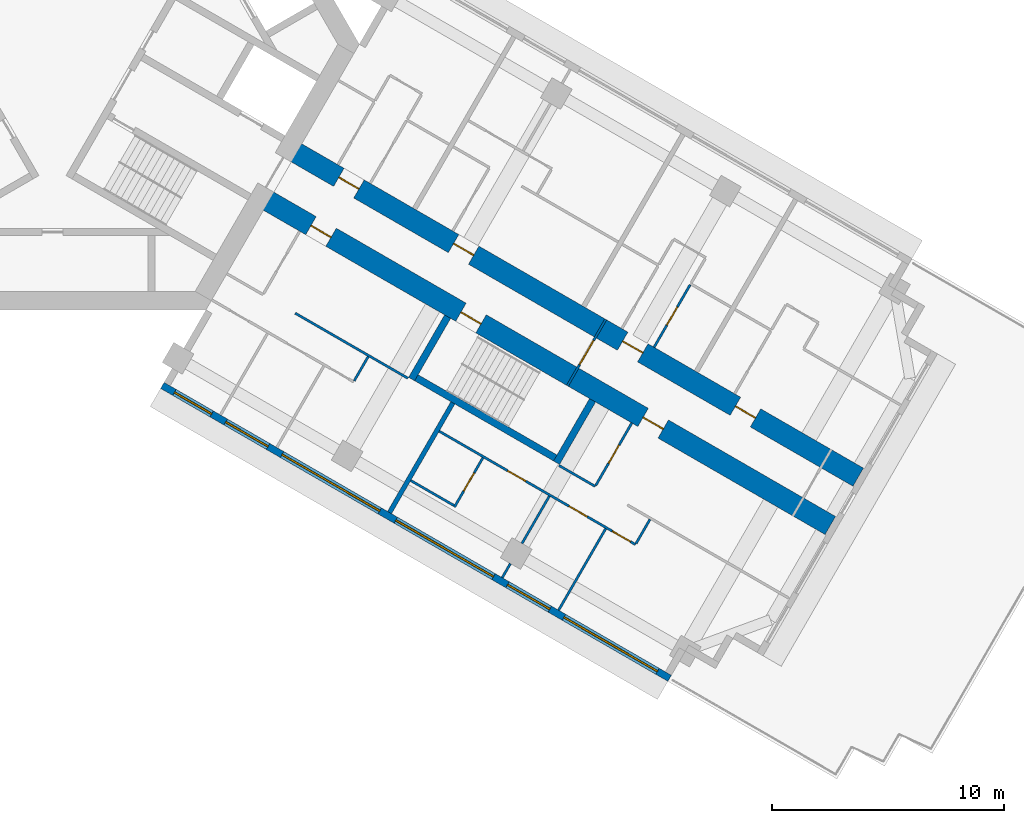
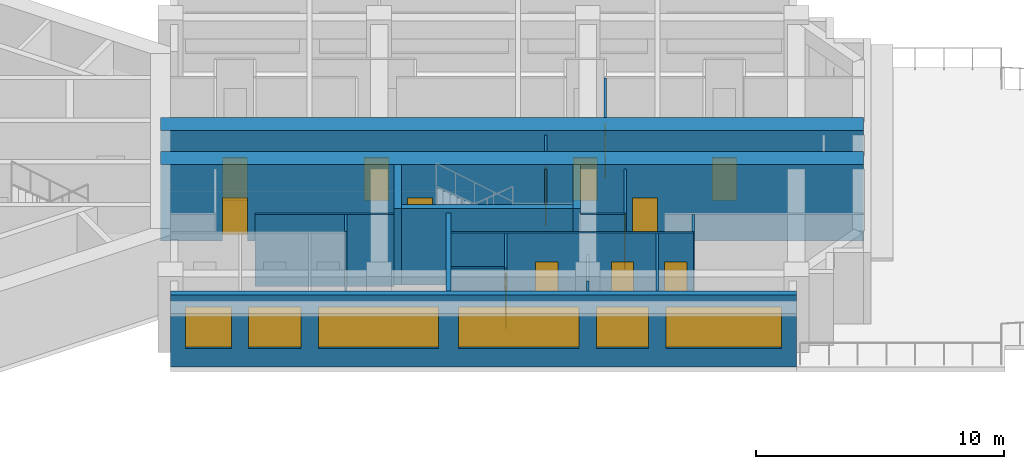
# One storey, part 6 of 14: 20 walls, 14 doors, 6 windows, 20 openings.
"""IFC4 building model written with IfcOpenShell, lengths in metres."""

import ifcopenshell
import ifcopenshell.guid

model = None  # the IFC model being written
_history = None  # IfcOwnerHistory: only IFC2X3 demands one
_inside = {}  # id of a spatial element -> (the spatial element, [elements in it])
_under = {}  # id of a project, library or spatial element -> (it, [spatial elements below it])
_declared = {}  # id of a project -> (the project, [libraries it declares])
_typed = {}  # id of a type object -> (the type object, [elements of that type])
_made_of = {}  # id of a material, layer set ... -> (it, [elements and type objects made of it])


def new_model(schema):
    """Start an empty IFC model of exactly this schema.

    Asked for "IFC4X3", IfcOpenShell would pick the latest addendum, in which some entities
    have other attributes; the version numbers below select the first issue.
    IFC2X3 requires an IfcOwnerHistory on every rooted entity: one is made here for all.
    """
    global model, _history
    if schema == "IFC4X3":
        model = ifcopenshell.file(schema_version=(4, 3, 0, 0))
    else:
        model = ifcopenshell.file(schema=schema)
    _inside.clear()
    _under.clear()
    _declared.clear()
    _typed.clear()
    _made_of.clear()
    _history = None
    if model.schema == "IFC2X3":
        org = make("IfcOrganization", Name="unknown")
        user = make(
            "IfcPersonAndOrganization",
            ThePerson=make("IfcPerson", FamilyName="unknown"),
            TheOrganization=org,
        )
        app = make(
            "IfcApplication",
            ApplicationDeveloper=org,
            Version="unknown",
            ApplicationFullName="unknown",
            ApplicationIdentifier="unknown",
        )
        _history = make(
            "IfcOwnerHistory",
            OwningUser=user,
            OwningApplication=app,
            ChangeAction="ADDED",
            CreationDate=0,
        )
    return model


def make(cls, **values):
    """One entity of the class cls with the attributes given. An attribute that is None is left unset."""
    return model.create_entity(
        cls, **{name: value for name, value in values.items() if value is not None}
    )


def rooted(cls, **values):
    """An entity with a GlobalId (a new one), such as an element, a storey or a relation."""
    return make(cls, GlobalId=ifcopenshell.guid.new(), OwnerHistory=_history, **values)


def si_unit(unit_type, name, prefix=None):
    """IfcSIUnit, for example si_unit("LENGTHUNIT", "METRE", prefix="MILLI")."""
    return make("IfcSIUnit", UnitType=unit_type, Prefix=prefix, Name=name)


def assignment(units):
    """IfcUnitAssignment: the units of a project."""
    return None if units is None else make("IfcUnitAssignment", Units=units)


def point(xyz):
    """IfcCartesianPoint."""
    return None if xyz is None else make("IfcCartesianPoint", Coordinates=xyz)


def direction(xyz):
    """IfcDirection."""
    return None if xyz is None else make("IfcDirection", DirectionRatios=xyz)


def frame(location, z_axis=None, x_axis=None):
    """IfcAxis2Placement3D, a coordinate frame: its origin and axes. An axis left out is left unset."""
    return make(
        "IfcAxis2Placement3D",
        Location=point(location),
        Axis=direction(z_axis),
        RefDirection=direction(x_axis),
    )


def frame_2d(location, x_axis=None):
    """IfcAxis2Placement2D, a coordinate frame in the plane: its origin and x axis."""
    return make(
        "IfcAxis2Placement2D", Location=point(location), RefDirection=direction(x_axis)
    )


def origin():
    """The frame at (0, 0, 0) with its axes left unset."""
    return frame((0.0, 0.0, 0.0))


def place(relative_to, where):
    """IfcLocalPlacement: puts the frame where relative to a parent placement (None: the world)."""
    return make(
        "IfcLocalPlacement", PlacementRelTo=relative_to, RelativePlacement=where
    )


def context(
    kind, dimensions, precision=None, world=None, true_north=None, identifier=None
):
    """IfcGeometricRepresentationContext, for example the 3D "Model" context."""
    return make(
        "IfcGeometricRepresentationContext",
        ContextIdentifier=identifier,
        ContextType=kind,
        CoordinateSpaceDimension=dimensions,
        Precision=precision,
        WorldCoordinateSystem=world,
        TrueNorth=true_north,
    )


def subcontext(parent, identifier, kind, view, scale=None):
    """IfcGeometricRepresentationSubContext, for example "Body" below "Model"."""
    return make(
        "IfcGeometricRepresentationSubContext",
        ContextIdentifier=identifier,
        ContextType=kind,
        ParentContext=parent,
        TargetScale=scale,
        TargetView=view,
    )


def project(units=None, contexts=None):
    """IfcProject with its units and contexts."""
    return rooted(
        "IfcProject",
        Name="project",
        RepresentationContexts=contexts,
        UnitsInContext=assignment(units),
    )


def spatial(cls, under=None, at=None, **own):
    """A site, building, storey or space (cls), placed at a placement, below another one or the project."""
    s = rooted(cls, ObjectPlacement=at, **own)
    if under is not None:
        _under.setdefault(under.id(), (under, []))[1].append(s)
    return s


def profile(cls, at=None, kind="AREA", **sizes):
    """A parametric profile (cls). Its sizes go by their IFC names, for example OverallWidth=200.0."""
    return make(cls, ProfileType=kind, Position=at, **sizes)


def rectangle(**sizes):
    """IfcRectangleProfileDef."""
    return profile("IfcRectangleProfileDef", **sizes)


def extrude(swept, where, along, depth):
    """IfcExtrudedAreaSolid: the profile swept, set in the frame where, extruded along a direction by depth."""
    return make(
        "IfcExtrudedAreaSolid",
        SweptArea=swept,
        Position=where,
        ExtrudedDirection=direction(along),
        Depth=depth,
    )


def shape(context_of_items, identifier, shape_type, items):
    """IfcShapeRepresentation: the items that make up one representation, for example the "Body"."""
    return make(
        "IfcShapeRepresentation",
        ContextOfItems=context_of_items,
        RepresentationIdentifier=identifier,
        RepresentationType=shape_type,
        Items=items,
    )


def material(Name=None, Category=None):
    """IfcMaterial."""
    return make("IfcMaterial", Name=Name, Category=Category)


def layer(
    of_material, thickness, ventilated=None, Name=None, Category=None, Priority=None
):
    """IfcMaterialLayer: one layer of a wall or slab, of a material (None: an air gap)."""
    return make(
        "IfcMaterialLayer",
        Material=of_material,
        LayerThickness=thickness,
        IsVentilated=ventilated,
        Name=Name,
        Category=Category,
        Priority=Priority,
    )


def layer_set(layers, Name=None):
    """IfcMaterialLayerSet."""
    return make("IfcMaterialLayerSet", MaterialLayers=layers, LayerSetName=Name)


def made_of(thing, what):
    """Note that an element or type object is made of a material, layer set ...; save() writes the relation."""
    if what is not None:
        _made_of.setdefault(what.id(), (what, []))[1].append(thing)
    return thing


def type_object(cls, material=None, **own):
    """A type object (cls), such as IfcWallType, which elements share."""
    return made_of(rooted(cls, **own), material)


def element(
    cls,
    number,
    at=None,
    inside=None,
    cuts=None,
    type_object=None,
    material=None,
    context=None,
    identifier="Body",
    shape_type=None,
    held_by="IfcProductDefinitionShape",
    body=None,
    shapes=None,
    **own,
):
    """One element of the class cls, such as IfcWall. Its Tag is "e" and its number.

    at: its placement. inside: the storey or other place that contains it. cuts: it is an
    opening in that element (IfcRelVoidsElement). A single representation is given by context,
    identifier, shape_type and body (its items); several are given by shapes. held_by: the class
    of the entity that holds the representations. save() writes the other relations.
    """
    e = rooted(cls, Tag="e%d" % number, ObjectPlacement=at, **own)
    if body is not None:
        shapes = [shape(context, identifier, shape_type, body)]
    if shapes is not None:
        e.Representation = make(held_by, Representations=shapes)
    if inside is not None:
        _inside.setdefault(inside.id(), (inside, []))[1].append(e)
    if cuts is not None:
        rooted(
            "IfcRelVoidsElement", RelatingBuildingElement=cuts, RelatedOpeningElement=e
        )
    if type_object is not None:
        _typed.setdefault(type_object.id(), (type_object, []))[1].append(e)
    return made_of(e, material)


def fill(opening, filler):
    """IfcRelFillsElement: the door or window that sits in an opening."""
    return rooted(
        "IfcRelFillsElement",
        RelatingOpeningElement=opening,
        RelatedBuildingElement=filler,
    )


def aggregate(whole, parts):
    """IfcRelAggregates: a whole, such as a stair, and the parts it consists of."""
    return rooted("IfcRelAggregates", RelatingObject=whole, RelatedObjects=parts)


def save(model, path):
    """Write the relations noted so far, then the file.

    IfcRelAggregates (storeys below a building ...), IfcRelContainedInSpatialStructure (elements
    in a storey), IfcRelDefinesByType, IfcRelAssociatesMaterial and IfcRelDeclares: one each for
    every whole, place, type object, material and project.
    """
    for whole, parts in _under.values():
        aggregate(whole, parts)
    for where, things in _inside.values():
        rooted(
            "IfcRelContainedInSpatialStructure",
            RelatedElements=things,
            RelatingStructure=where,
        )
    for kind, things in _typed.values():
        rooted("IfcRelDefinesByType", RelatedObjects=things, RelatingType=kind)
    for what, things in _made_of.values():
        rooted("IfcRelAssociatesMaterial", RelatedObjects=things, RelatingMaterial=what)
    for by, libraries in _declared.values():
        rooted("IfcRelDeclares", RelatingContext=by, RelatedDefinitions=libraries)
    model.write(path)


model = new_model("IFC4")

# Units and contexts
model_context = context("Model", 3, precision=1e-05, world=origin(), true_north=direction((0.0, 1.0)))
body_context = subcontext(model_context, "Body", "Model", "MODEL_VIEW")
ifc_project = project(units=[si_unit("LENGTHUNIT", "METRE"), si_unit("AREAUNIT", "SQUARE_METRE"), si_unit("VOLUMEUNIT", "CUBIC_METRE"), si_unit("PLANEANGLEUNIT", "RADIAN"), si_unit("MASSUNIT", "GRAM", prefix="KILO")], contexts=[model_context])

# Site, building, storey
site_placement = place(None, origin())
site = spatial("IfcSite", under=ifc_project, at=site_placement, CompositionType="ELEMENT")
building_placement = place(site_placement, origin())
building = spatial("IfcBuilding", under=site, at=building_placement, Name="Impinga Residences", CompositionType="ELEMENT")
storey_placement = place(building_placement, frame((0.0, 0.0, 158.5)))
storey = spatial("IfcBuildingStorey", under=building, at=storey_placement, Name="L39", CompositionType="ELEMENT", Elevation=158.5)

# Wall, openings, doors
ifc_material_1 = material(Name="Concrete C60/75", Category="concrete")
ifc_layer_1 = layer(ifc_material_1, 0.89990234375)
ifc_layer_set_1 = layer_set([ifc_layer_1], Name="Concrete C60/75")
wall_type_1 = type_object("IfcWallType", Name="BW2 corridor buttress wall, L24 to L44 900", PredefinedType="SHEAR", material=ifc_layer_set_1)
wall_1_placement = place(storey_placement, frame((10.153564453125, -4.4765625, 0.0), z_axis=(0.0, 0.0, 1.0), x_axis=(0.866027127636, -0.49999701419, 0.0)))
wall_1 = element("IfcWall", 1, at=wall_1_placement, inside=storey, type_object=wall_type_1, Name="Corridor wall BW2 EC L39", PredefinedType="SHEAR", context=body_context, shape_type="SweptSolid", body=[
    extrude(rectangle(XDim=28.300048828125, YDim=0.89990234375, at=frame_2d((14.14990234375, 0.0))), origin(), (0.0, 0.0, 1.0), 3.75),
])
opening_1_placement = place(wall_1_placement, frame((2.5, 0.0, 0.0)))
opening_1 = element("IfcOpeningElement", 2, at=opening_1_placement, cuts=wall_1, Name="Opening D1", PredefinedType="OPENING", context=body_context, shape_type="SweptSolid", body=[
    extrude(rectangle(XDim=1.0, YDim=2.10009765625, at=frame_2d((0.5, 1.050048828125))), frame((0.0, 0.4599609375, 0.0), z_axis=(0.0, -1.0, 0.0), x_axis=(1.0, 0.0, 0.0)), (0.0, 0.0, 1.0), 0.919921875),
])
opening_2_placement = place(wall_1_placement, frame((8.199951171875, 0.0, 0.0)))
opening_2 = element("IfcOpeningElement", 3, at=opening_2_placement, cuts=wall_1, Name="Opening D1", PredefinedType="OPENING", context=body_context, shape_type="SweptSolid", body=[
    extrude(rectangle(XDim=1.0, YDim=2.10009765625, at=frame_2d((0.5, 1.050048828125))), frame((0.0, 0.4599609375, 0.0), z_axis=(0.0, -1.0, 0.0), x_axis=(1.0, 0.0, 0.0)), (0.0, 0.0, 1.0), 0.919921875),
])
opening_3_placement = place(wall_1_placement, frame((16.60009765625, 0.0, 0.0)))
opening_3 = element("IfcOpeningElement", 4, at=opening_3_placement, cuts=wall_1, Name="Opening D1", PredefinedType="OPENING", context=body_context, shape_type="SweptSolid", body=[
    extrude(rectangle(XDim=1.0, YDim=2.10009765625, at=frame_2d((0.5, 1.050048828125))), frame((0.0, 0.4599609375, 0.0), z_axis=(0.0, -1.0, 0.0), x_axis=(1.0, 0.0, 0.0)), (0.0, 0.0, 1.0), 0.919921875),
])
opening_4_placement = place(wall_1_placement, frame((22.199951171875, 0.0, 0.0)))
opening_4 = element("IfcOpeningElement", 5, at=opening_4_placement, cuts=wall_1, Name="Opening D1", PredefinedType="OPENING", context=body_context, shape_type="SweptSolid", body=[
    extrude(rectangle(XDim=1.0, YDim=2.10009765625, at=frame_2d((0.5, 1.050048828125))), frame((0.0, 0.4599609375, 0.0), z_axis=(0.0, -1.0, 0.0), x_axis=(1.0, 0.0, 0.0)), (0.0, 0.0, 1.0), 0.919921875),
])
ifc_material_2 = material(Name="Timber door set", Category="wood")
door_type_1 = type_object("IfcDoorType", Name="D1 apartment entrance door 1000x2100", OperationType="SINGLE_SWING_LEFT", PredefinedType="DOOR", material=ifc_material_2)
door_1_placement = place(opening_1_placement, origin())
door_1 = element("IfcDoor", 6, at=door_1_placement, inside=storey, type_object=door_type_1, Name="Apartment L39-EA1 entrance", OperationType="SINGLE_SWING_LEFT", OverallHeight=2.10009765625, OverallWidth=1.0, PredefinedType="DOOR", context=body_context, shape_type="SweptSolid", body=[
    extrude(rectangle(XDim=1.0, YDim=2.10009765625, at=frame_2d((0.5, 1.050048828125))), frame((0.0, 0.02490234375, 0.0), z_axis=(0.0, -1.0, 0.0), x_axis=(1.0, 0.0, 0.0)), (0.0, 0.0, 1.0), 0.050048828125),
])
fill(opening_1, door_1)
door_2_placement = place(opening_2_placement, origin())
door_2 = element("IfcDoor", 7, at=door_2_placement, inside=storey, type_object=door_type_1, Name="Apartment L39-EA2 entrance", OperationType="SINGLE_SWING_LEFT", OverallHeight=2.10009765625, OverallWidth=1.0, PredefinedType="DOOR", context=body_context, shape_type="SweptSolid", body=[
    extrude(rectangle(XDim=1.0, YDim=2.10009765625, at=frame_2d((0.5, 1.050048828125))), frame((0.0, 0.02490234375, 0.0), z_axis=(0.0, -1.0, 0.0), x_axis=(1.0, 0.0, 0.0)), (0.0, 0.0, 1.0), 0.050048828125),
])
fill(opening_2, door_2)
door_3_placement = place(opening_3_placement, origin())
door_3 = element("IfcDoor", 8, at=door_3_placement, inside=storey, type_object=door_type_1, Name="Apartment L39-EA3 entrance", OperationType="SINGLE_SWING_RIGHT", OverallHeight=2.10009765625, OverallWidth=1.0, PredefinedType="DOOR", context=body_context, shape_type="SweptSolid", body=[
    extrude(rectangle(XDim=1.0, YDim=2.10009765625, at=frame_2d((0.5, 1.050048828125))), frame((0.0, 0.02490234375, 0.0), z_axis=(0.0, -1.0, 0.0), x_axis=(1.0, 0.0, 0.0)), (0.0, 0.0, 1.0), 0.050048828125),
])
fill(opening_3, door_3)
door_4_placement = place(opening_4_placement, origin())
door_4 = element("IfcDoor", 9, at=door_4_placement, inside=storey, type_object=door_type_1, Name="Apartment L39-EA4 entrance", OperationType="SINGLE_SWING_RIGHT", OverallHeight=2.10009765625, OverallWidth=1.0, PredefinedType="DOOR", context=body_context, shape_type="SweptSolid", body=[
    extrude(rectangle(XDim=1.0, YDim=2.10009765625, at=frame_2d((0.5, 1.050048828125))), frame((0.0, 0.02490234375, 0.0), z_axis=(0.0, -1.0, 0.0), x_axis=(1.0, 0.0, 0.0)), (0.0, 0.0, 1.0), 0.050048828125),
])
fill(opening_4, door_4)

wall_2_placement = place(storey_placement, frame((8.95361328125, -6.554931640625, 0.0), z_axis=(0.0, 0.0, 1.0), x_axis=(0.866023392092, -0.500003484338, 0.0)))
wall_2 = element("IfcWall", 10, at=wall_2_placement, inside=storey, type_object=wall_type_1, Name="Corridor wall BW2 ED L39", PredefinedType="SHEAR", context=body_context, shape_type="SweptSolid", body=[
    extrude(rectangle(XDim=28.300048828125, YDim=0.89990234375, at=frame_2d((14.14990234375, 0.0))), origin(), (0.0, 0.0, 1.0), 3.75),
])
opening_5_placement = place(wall_2_placement, frame((9.949951171875, 0.0, 0.0)))
opening_5 = element("IfcOpeningElement", 11, at=opening_5_placement, cuts=wall_2, Name="Opening D5", PredefinedType="OPENING", context=body_context, shape_type="SweptSolid", body=[
    extrude(rectangle(XDim=1.0, YDim=2.10009765625, at=frame_2d((0.5, 1.050048828125))), frame((0.0, 0.4599609375, 0.0), z_axis=(0.0, -1.0, 0.0), x_axis=(1.0, 0.0, 0.0)), (0.0, 0.0, 1.0), 0.919921875),
])
opening_6_placement = place(wall_2_placement, frame((2.5, 0.0, 0.0)))
opening_6 = element("IfcOpeningElement", 12, at=opening_6_placement, cuts=wall_2, Name="Opening D1", PredefinedType="OPENING", context=body_context, shape_type="SweptSolid", body=[
    extrude(rectangle(XDim=1.0, YDim=2.10009765625, at=frame_2d((0.5, 1.050048828125))), frame((0.0, 0.4599609375, 0.0), z_axis=(0.0, -1.0, 0.0), x_axis=(1.0, 0.0, 0.0)), (0.0, 0.0, 1.0), 0.919921875),
])
opening_7_placement = place(wall_2_placement, frame((19.0, 0.0, 0.0)))
opening_7 = element("IfcOpeningElement", 13, at=opening_7_placement, cuts=wall_2, Name="Opening D1", PredefinedType="OPENING", context=body_context, shape_type="SweptSolid", body=[
    extrude(rectangle(XDim=1.0, YDim=2.10009765625, at=frame_2d((0.5, 1.050048828125))), frame((0.0, 0.4599609375, 0.0), z_axis=(0.0, -1.0, 0.0), x_axis=(1.0, 0.0, 0.0)), (0.0, 0.0, 1.0), 0.919921875),
])
door_5_placement = place(opening_6_placement, origin())
door_5 = element("IfcDoor", 14, at=door_5_placement, inside=storey, type_object=door_type_1, Name="Apartment L39-EF1 entrance", OperationType="SINGLE_SWING_LEFT", OverallHeight=2.10009765625, OverallWidth=1.0, PredefinedType="DOOR", context=body_context, shape_type="SweptSolid", body=[
    extrude(rectangle(XDim=1.0, YDim=2.10009765625, at=frame_2d((0.5, 1.050048828125))), frame((0.0, 0.02490234375, 0.0), z_axis=(0.0, -1.0, 0.0), x_axis=(1.0, 0.0, 0.0)), (0.0, 0.0, 1.0), 0.050048828125),
])
fill(opening_6, door_5)
door_6_placement = place(opening_7_placement, origin())
door_6 = element("IfcDoor", 15, at=door_6_placement, inside=storey, type_object=door_type_1, Name="Apartment L39-EF2 entrance", OperationType="SINGLE_SWING_RIGHT", OverallHeight=2.10009765625, OverallWidth=1.0, PredefinedType="DOOR", context=body_context, shape_type="SweptSolid", body=[
    extrude(rectangle(XDim=1.0, YDim=2.10009765625, at=frame_2d((0.5, 1.050048828125))), frame((0.0, 0.02490234375, 0.0), z_axis=(0.0, -1.0, 0.0), x_axis=(1.0, 0.0, 0.0)), (0.0, 0.0, 1.0), 0.050048828125),
])
fill(opening_7, door_6)
door_type_2 = type_object("IfcDoorType", Name="D5 stair door 1000x2100", OperationType="SINGLE_SWING_LEFT", PredefinedType="DOOR", material=ifc_material_2)
door_7_placement = place(opening_5_placement, origin())
door_7 = element("IfcDoor", 16, at=door_7_placement, inside=storey, type_object=door_type_2, Name="Wing stair door E", OperationType="SINGLE_SWING_LEFT", OverallHeight=2.10009765625, OverallWidth=1.0, PredefinedType="DOOR", context=body_context, shape_type="SweptSolid", body=[
    extrude(rectangle(XDim=1.0, YDim=2.10009765625, at=frame_2d((0.5, 1.050048828125))), frame((0.0, 0.02490234375, 0.0), z_axis=(0.0, -1.0, 0.0), x_axis=(1.0, 0.0, 0.0)), (0.0, 0.0, 1.0), 0.050048828125),
])
fill(opening_5, door_7)

# Wall, opening, door
ifc_material_3 = material(Name="Concrete blockwork", Category="masonry")
ifc_layer_2 = layer(ifc_material_3, 0.10009765625)
ifc_layer_set_2 = layer_set([ifc_layer_2], Name="CP1 core room partition, blockwork 100")
wall_type_2 = type_object("IfcWallType", Name="CP1 core room partition, blockwork 100", PredefinedType="PARTITIONING", material=ifc_layer_set_2)
wall_3_placement = place(storey_placement, frame((23.802490234375, -11.837158203125, 0.0), z_axis=(0.0, 0.0, 1.0), x_axis=(-0.500061873842, -0.865989677958, 0.0)))
wall_3 = element("IfcWall", 17, at=wall_3_placement, inside=storey, type_object=wall_type_2, Name="Core room partition, blockwork L39:E:SCR", PredefinedType="PARTITIONING", context=body_context, shape_type="SweptSolid", body=[
    extrude(rectangle(XDim=3.2998046875, YDim=0.10009765625, at=frame_2d((1.64990234375, 0.0))), origin(), (0.0, 0.0, 1.0), 3.530029296875),
])
opening_8_placement = place(wall_3_placement, frame((1.050048828125, 0.0, 0.0)))
opening_8 = element("IfcOpeningElement", 18, at=opening_8_placement, cuts=wall_3, Name="Opening D3", PredefinedType="OPENING", context=body_context, shape_type="SweptSolid", body=[
    extrude(rectangle(XDim=1.199951171875, YDim=2.10009765625, at=frame_2d((0.60009765625, 1.050048828125))), frame((0.0, 0.06005859375, 0.0), z_axis=(0.0, -1.0, 0.0), x_axis=(1.0, 0.0, 0.0)), (0.0, 0.0, 1.0), 0.1201171875),
])
door_type_3 = type_object("IfcDoorType", Name="D3 room door, leaf and a half 1200x2100", OperationType="DOUBLE_SWING_LEFT", PredefinedType="DOOR", material=ifc_material_2)
door_8_placement = place(opening_8_placement, origin())
door_8 = element("IfcDoor", 19, at=door_8_placement, inside=storey, type_object=door_type_3, Name="Corridor smoke door E", OperationType="DOUBLE_SWING_LEFT", OverallHeight=2.10009765625, OverallWidth=1.199951171875, PredefinedType="DOOR", context=body_context, shape_type="SweptSolid", body=[
    extrude(rectangle(XDim=1.199951171875, YDim=2.10009765625, at=frame_2d((0.60009765625, 1.050048828125))), frame((0.0, 0.02490234375, 0.0), z_axis=(0.0, -1.0, 0.0), x_axis=(1.0, 0.0, 0.0)), (0.0, 0.0, 1.0), 0.050048828125),
])
fill(opening_8, door_8)

# Wall, openings, windows
ifc_material_4 = material(Name="Terracotta rainscreen on blockwork", Category="masonry")
ifc_layer_3 = layer(ifc_material_4, 0.300048828125)
ifc_layer_set_3 = layer_set([ifc_layer_3], Name="EW1 external wall, terracotta rainscreen on blockwork 300")
wall_type_3 = type_object("IfcWallType", Name="EW1 external wall, terracotta rainscreen on blockwork 300", PredefinedType="SOLIDWALL", material=ifc_layer_set_3)
wall_4_placement = place(storey_placement, frame((26.548828125, -27.279052734375, 0.0), z_axis=(0.0, 0.0, 1.0), x_axis=(-0.866026832479, 0.499997525421, 0.0)))
wall_4 = element("IfcWall", 20, at=wall_4_placement, inside=storey, type_object=wall_type_3, Name="External wall EW1 L39", PredefinedType="SOLIDWALL", context=body_context, shape_type="SweptSolid", body=[
    extrude(rectangle(XDim=25.199951171875, YDim=0.300048828125, at=frame_2d((12.60009765625, 0.0))), origin(), (0.0, 0.0, 1.0), 3.530029296875),
])
opening_9_placement = place(wall_4_placement, frame((0.60009765625, 0.0, 0.89990234375)))
opening_9 = element("IfcOpeningElement", 21, at=opening_9_placement, cuts=wall_4, Name="Opening W10", PredefinedType="OPENING", context=body_context, shape_type="SweptSolid", body=[
    extrude(rectangle(XDim=4.64990234375, YDim=2.050048828125, at=frame_2d((2.324951171875, 1.02490234375))), frame((0.0, 0.159912109375, 0.0), z_axis=(0.0, -1.0, 0.0), x_axis=(1.0, 0.0, 0.0)), (0.0, 0.0, 1.0), 0.320068359375),
])
opening_10_placement = place(wall_4_placement, frame((5.949951171875, 0.0, 0.89990234375)))
opening_10 = element("IfcOpeningElement", 22, at=opening_10_placement, cuts=wall_4, Name="Opening W9", PredefinedType="OPENING", context=body_context, shape_type="SweptSolid", body=[
    extrude(rectangle(XDim=2.10009765625, YDim=2.050048828125, at=frame_2d((1.050048828125, 1.02490234375))), frame((0.0, 0.159912109375, 0.0), z_axis=(0.0, -1.0, 0.0), x_axis=(1.0, 0.0, 0.0)), (0.0, 0.0, 1.0), 0.320068359375),
])
opening_11_placement = place(wall_4_placement, frame((8.75, 0.0, 0.89990234375)))
opening_11 = element("IfcOpeningElement", 23, at=opening_11_placement, cuts=wall_4, Name="Opening W6", PredefinedType="OPENING", context=body_context, shape_type="SweptSolid", body=[
    extrude(rectangle(XDim=4.85009765625, YDim=2.050048828125, at=frame_2d((2.425048828125, 1.02490234375))), frame((0.0, 0.159912109375, 0.0), z_axis=(0.0, -1.0, 0.0), x_axis=(1.0, 0.0, 0.0)), (0.0, 0.0, 1.0), 0.320068359375),
])
opening_12_placement = place(wall_4_placement, frame((14.39990234375, 0.0, 0.89990234375)))
opening_12 = element("IfcOpeningElement", 24, at=opening_12_placement, cuts=wall_4, Name="Opening W6", PredefinedType="OPENING", context=body_context, shape_type="SweptSolid", body=[
    extrude(rectangle(XDim=4.85009765625, YDim=2.050048828125, at=frame_2d((2.425048828125, 1.02490234375))), frame((0.0, 0.159912109375, 0.0), z_axis=(0.0, -1.0, 0.0), x_axis=(1.0, 0.0, 0.0)), (0.0, 0.0, 1.0), 0.320068359375),
])
opening_13_placement = place(wall_4_placement, frame((19.949951171875, 0.0, 0.89990234375)))
opening_13 = element("IfcOpeningElement", 25, at=opening_13_placement, cuts=wall_4, Name="Opening W9", PredefinedType="OPENING", context=body_context, shape_type="SweptSolid", body=[
    extrude(rectangle(XDim=2.10009765625, YDim=2.050048828125, at=frame_2d((1.050048828125, 1.02490234375))), frame((0.0, 0.159912109375, 0.0), z_axis=(0.0, -1.0, 0.0), x_axis=(1.0, 0.0, 0.0)), (0.0, 0.0, 1.0), 0.320068359375),
])
opening_14_placement = place(wall_4_placement, frame((22.75, 0.0, 0.89990234375)))
opening_14 = element("IfcOpeningElement", 26, at=opening_14_placement, cuts=wall_4, Name="Opening W15", PredefinedType="OPENING", context=body_context, shape_type="SweptSolid", body=[
    extrude(rectangle(XDim=1.85009765625, YDim=2.050048828125, at=frame_2d((0.925048828125, 1.02490234375))), frame((0.0, 0.159912109375, 0.0), z_axis=(0.0, -1.0, 0.0), x_axis=(1.0, 0.0, 0.0)), (0.0, 0.0, 1.0), 0.320068359375),
])
ifc_material_5 = material(Name="Aluminium window, clear double glazing", Category="aluminium")
window_type_1 = type_object("IfcWindowType", Name="W10 ribbon window 4650x2050", PartitioningType="SINGLE_PANEL", PredefinedType="WINDOW", material=ifc_material_5)
window_1_placement = place(opening_9_placement, origin())
window_1 = element("IfcWindow", 27, at=window_1_placement, inside=storey, type_object=window_type_1, Name="Window L39", OverallHeight=2.050048828125, OverallWidth=4.64990234375, PartitioningType="SINGLE_PANEL", PredefinedType="WINDOW", context=body_context, shape_type="SweptSolid", body=[
    extrude(rectangle(XDim=4.64990234375, YDim=2.050048828125, at=frame_2d((2.324951171875, 1.02490234375))), frame((0.0, 0.030029296875, 0.0), z_axis=(0.0, -1.0, 0.0), x_axis=(1.0, 0.0, 0.0)), (0.0, 0.0, 1.0), 0.06005859375),
])
fill(opening_9, window_1)
window_type_2 = type_object("IfcWindowType", Name="W15 ribbon window 1850x2050", PartitioningType="SINGLE_PANEL", PredefinedType="WINDOW", material=ifc_material_5)
window_2_placement = place(opening_14_placement, origin())
window_2 = element("IfcWindow", 28, at=window_2_placement, inside=storey, type_object=window_type_2, Name="Window L39", OverallHeight=2.050048828125, OverallWidth=1.85009765625, PartitioningType="SINGLE_PANEL", PredefinedType="WINDOW", context=body_context, shape_type="SweptSolid", body=[
    extrude(rectangle(XDim=1.85009765625, YDim=2.050048828125, at=frame_2d((0.925048828125, 1.02490234375))), frame((0.0, 0.030029296875, 0.0), z_axis=(0.0, -1.0, 0.0), x_axis=(1.0, 0.0, 0.0)), (0.0, 0.0, 1.0), 0.06005859375),
])
fill(opening_14, window_2)
window_type_3 = type_object("IfcWindowType", Name="W6 ribbon window 4850x2050", PartitioningType="SINGLE_PANEL", PredefinedType="WINDOW", material=ifc_material_5)
window_3_placement = place(opening_11_placement, origin())
window_3 = element("IfcWindow", 29, at=window_3_placement, inside=storey, type_object=window_type_3, Name="Window L39", OverallHeight=2.050048828125, OverallWidth=4.85009765625, PartitioningType="SINGLE_PANEL", PredefinedType="WINDOW", context=body_context, shape_type="SweptSolid", body=[
    extrude(rectangle(XDim=4.85009765625, YDim=2.050048828125, at=frame_2d((2.425048828125, 1.02490234375))), frame((0.0, 0.030029296875, 0.0), z_axis=(0.0, -1.0, 0.0), x_axis=(1.0, 0.0, 0.0)), (0.0, 0.0, 1.0), 0.06005859375),
])
fill(opening_11, window_3)
window_4_placement = place(opening_12_placement, origin())
window_4 = element("IfcWindow", 30, at=window_4_placement, inside=storey, type_object=window_type_3, Name="Window L39", OverallHeight=2.050048828125, OverallWidth=4.85009765625, PartitioningType="SINGLE_PANEL", PredefinedType="WINDOW", context=body_context, shape_type="SweptSolid", body=[
    extrude(rectangle(XDim=4.85009765625, YDim=2.050048828125, at=frame_2d((2.425048828125, 1.02490234375))), frame((0.0, 0.030029296875, 0.0), z_axis=(0.0, -1.0, 0.0), x_axis=(1.0, 0.0, 0.0)), (0.0, 0.0, 1.0), 0.06005859375),
])
fill(opening_12, window_4)
window_type_4 = type_object("IfcWindowType", Name="W9 ribbon window 2100x2050", PartitioningType="SINGLE_PANEL", PredefinedType="WINDOW", material=ifc_material_5)
window_5_placement = place(opening_10_placement, origin())
window_5 = element("IfcWindow", 31, at=window_5_placement, inside=storey, type_object=window_type_4, Name="Window L39", OverallHeight=2.050048828125, OverallWidth=2.10009765625, PartitioningType="SINGLE_PANEL", PredefinedType="WINDOW", context=body_context, shape_type="SweptSolid", body=[
    extrude(rectangle(XDim=2.10009765625, YDim=2.050048828125, at=frame_2d((1.050048828125, 1.02490234375))), frame((0.0, 0.030029296875, 0.0), z_axis=(0.0, -1.0, 0.0), x_axis=(1.0, 0.0, 0.0)), (0.0, 0.0, 1.0), 0.06005859375),
])
fill(opening_10, window_5)
window_6_placement = place(opening_13_placement, origin())
window_6 = element("IfcWindow", 32, at=window_6_placement, inside=storey, type_object=window_type_4, Name="Window L39", OverallHeight=2.050048828125, OverallWidth=2.10009765625, PartitioningType="SINGLE_PANEL", PredefinedType="WINDOW", context=body_context, shape_type="SweptSolid", body=[
    extrude(rectangle(XDim=2.10009765625, YDim=2.050048828125, at=frame_2d((1.050048828125, 1.02490234375))), frame((0.0, 0.030029296875, 0.0), z_axis=(0.0, -1.0, 0.0), x_axis=(1.0, 0.0, 0.0)), (0.0, 0.0, 1.0), 0.06005859375),
])
fill(opening_13, window_6)

# Wall, opening, door
ifc_material_6 = material(Name="Gypsum board on steel studs", Category="steel")
ifc_layer_4 = layer(ifc_material_6, 0.10009765625)
ifc_layer_set_4 = layer_set([ifc_layer_4], Name="Gypsum board on steel studs")
wall_type_4 = type_object("IfcWallType", Name="IP1 partition 100", PredefinedType="PARTITIONING", material=ifc_layer_set_4)
wall_5_placement = place(storey_placement, frame((25.88037109375, -13.036865234375, 0.0), z_axis=(0.0, 0.0, 1.0), x_axis=(0.49999285859, 0.86602952684, 0.0)))
wall_5 = element("IfcWall", 33, at=wall_5_placement, inside=storey, type_object=wall_type_4, Name="Partition L39-EA3:IB2", PredefinedType="PARTITIONING", context=body_context, shape_type="SweptSolid", body=[
    extrude(rectangle(XDim=3.10009765625, YDim=0.10009765625, at=frame_2d((1.550048828125, 0.0))), origin(), (0.0, 0.0, 1.0), 3.530029296875),
])
opening_15_placement = place(wall_5_placement, frame((1.10009765625, 0.0, 0.0)))
opening_15 = element("IfcOpeningElement", 34, at=opening_15_placement, cuts=wall_5, Name="Opening D2", PredefinedType="OPENING", context=body_context, shape_type="SweptSolid", body=[
    extrude(rectangle(XDim=0.89990234375, YDim=2.10009765625, at=frame_2d((0.449951171875, 1.050048828125))), frame((0.0, 0.06005859375, 0.0), z_axis=(0.0, -1.0, 0.0), x_axis=(1.0, 0.0, 0.0)), (0.0, 0.0, 1.0), 0.1201171875),
])
door_type_4 = type_object("IfcDoorType", Name="D2 internal door 900x2100", OperationType="SINGLE_SWING_LEFT", PredefinedType="DOOR", material=ifc_material_2)
door_9_placement = place(opening_15_placement, origin())
door_9 = element("IfcDoor", 35, at=door_9_placement, inside=storey, type_object=door_type_4, Name="Apartment L39-EA3 WC door", OperationType="SINGLE_SWING_LEFT", OverallHeight=2.10009765625, OverallWidth=0.89990234375, PredefinedType="DOOR", context=body_context, shape_type="SweptSolid", body=[
    extrude(rectangle(XDim=0.89990234375, YDim=2.10009765625, at=frame_2d((0.449951171875, 1.050048828125))), frame((0.0, 0.02490234375, 0.0), z_axis=(0.0, -1.0, 0.0), x_axis=(1.0, 0.0, 0.0)), (0.0, 0.0, 1.0), 0.050048828125),
])
fill(opening_15, door_9)

# Walls
wall_6_placement = place(storey_placement, frame((10.444580078125, -11.57275390625, 0.0), z_axis=(0.0, 0.0, 1.0), x_axis=(0.866015695474, -0.500016814911, 0.0)))
element("IfcWall", 36, at=wall_6_placement, inside=storey, type_object=wall_type_4, Name="Partition L39-EF1:DIV1", PredefinedType="PARTITIONING", context=body_context, shape_type="SweptSolid", body=[
    extrude(rectangle(XDim=5.599853515625, YDim=0.10009765625, at=frame_2d((2.7998046875, 0.0))), origin(), (0.0, 0.0, 1.0), 3.530029296875),
])
wall_7_placement = place(storey_placement, frame((13.58056640625, -13.44091796875, 0.0), z_axis=(0.0, 0.0, 1.0), x_axis=(-0.500033551112, -0.866006032174, 0.0)))
element("IfcWall", 37, at=wall_7_placement, inside=storey, type_object=wall_type_4, Name="Partition L39-EF1:SE1", PredefinedType="PARTITIONING", context=body_context, shape_type="SweptSolid", body=[
    extrude(rectangle(XDim=1.2001953125, YDim=0.10009765625, at=frame_2d((0.60009765625, 0.0))), origin(), (0.0, 0.0, 1.0), 3.530029296875),
])
wall_8_placement = place(storey_placement, frame((21.789306640625, -18.122802734375, 0.0), z_axis=(0.0, 0.0, 1.0), x_axis=(0.866047807691, -0.499961193289, 0.0)))
element("IfcWall", 38, at=wall_8_placement, inside=storey, type_object=wall_type_4, Name="Partition L39-EF2:DIV0", PredefinedType="PARTITIONING", context=body_context, shape_type="SweptSolid", body=[
    extrude(rectangle(XDim=1.800048828125, YDim=0.10009765625, at=frame_2d((0.89990234375, 0.0))), origin(), (0.0, 0.0, 1.0), 3.530029296875),
])

# Wall, openings, doors
wall_9_placement = place(storey_placement, frame((16.635986328125, -16.6484375, 0.0), z_axis=(0.0, 0.0, 1.0), x_axis=(0.866027967067, -0.499995560238, 0.0)))
wall_9 = element("IfcWall", 39, at=wall_9_placement, inside=storey, type_object=wall_type_4, Name="Partition L39-EF2:STRIP", PredefinedType="PARTITIONING", context=body_context, shape_type="SweptSolid", body=[
    extrude(rectangle(XDim=9.75, YDim=0.10009765625, at=frame_2d((4.875, 0.0))), origin(), (0.0, 0.0, 1.0), 3.530029296875),
])
opening_16_placement = place(wall_9_placement, frame((3.39990234375, 0.0, 0.0)))
opening_16 = element("IfcOpeningElement", 40, at=opening_16_placement, cuts=wall_9, Name="Opening D2", PredefinedType="OPENING", context=body_context, shape_type="SweptSolid", body=[
    extrude(rectangle(XDim=0.89990234375, YDim=2.10009765625, at=frame_2d((0.449951171875, 1.050048828125))), frame((0.0, 0.06005859375, 0.0), z_axis=(0.0, -1.0, 0.0), x_axis=(1.0, 0.0, 0.0)), (0.0, 0.0, 1.0), 0.1201171875),
])
opening_17_placement = place(wall_9_placement, frame((6.449951171875, 0.0, 0.0)))
opening_17 = element("IfcOpeningElement", 41, at=opening_17_placement, cuts=wall_9, Name="Opening D2", PredefinedType="OPENING", context=body_context, shape_type="SweptSolid", body=[
    extrude(rectangle(XDim=0.89990234375, YDim=2.10009765625, at=frame_2d((0.449951171875, 1.050048828125))), frame((0.0, 0.06005859375, 0.0), z_axis=(0.0, -1.0, 0.0), x_axis=(1.0, 0.0, 0.0)), (0.0, 0.0, 1.0), 0.1201171875),
])
opening_18_placement = place(wall_9_placement, frame((8.60009765625, 0.0, 0.0)))
opening_18 = element("IfcOpeningElement", 42, at=opening_18_placement, cuts=wall_9, Name="Opening D2", PredefinedType="OPENING", context=body_context, shape_type="SweptSolid", body=[
    extrude(rectangle(XDim=0.89990234375, YDim=2.10009765625, at=frame_2d((0.449951171875, 1.050048828125))), frame((0.0, 0.06005859375, 0.0), z_axis=(0.0, -1.0, 0.0), x_axis=(1.0, 0.0, 0.0)), (0.0, 0.0, 1.0), 0.1201171875),
])
door_10_placement = place(opening_16_placement, origin())
door_10 = element("IfcDoor", 43, at=door_10_placement, inside=storey, type_object=door_type_4, Name="Apartment L39-EF2 room door", OperationType="SINGLE_SWING_LEFT", OverallHeight=2.10009765625, OverallWidth=0.89990234375, PredefinedType="DOOR", context=body_context, shape_type="SweptSolid", body=[
    extrude(rectangle(XDim=0.89990234375, YDim=2.10009765625, at=frame_2d((0.449951171875, 1.050048828125))), frame((0.0, 0.02490234375, 0.0), z_axis=(0.0, -1.0, 0.0), x_axis=(1.0, 0.0, 0.0)), (0.0, 0.0, 1.0), 0.050048828125),
])
fill(opening_16, door_10)
door_11_placement = place(opening_17_placement, origin())
door_11 = element("IfcDoor", 44, at=door_11_placement, inside=storey, type_object=door_type_4, Name="Apartment L39-EF2 room door", OperationType="SINGLE_SWING_RIGHT", OverallHeight=2.10009765625, OverallWidth=0.89990234375, PredefinedType="DOOR", context=body_context, shape_type="SweptSolid", body=[
    extrude(rectangle(XDim=0.89990234375, YDim=2.10009765625, at=frame_2d((0.449951171875, 1.050048828125))), frame((0.0, 0.02490234375, 0.0), z_axis=(0.0, -1.0, 0.0), x_axis=(1.0, 0.0, 0.0)), (0.0, 0.0, 1.0), 0.050048828125),
])
fill(opening_17, door_11)
door_12_placement = place(opening_18_placement, origin())
door_12 = element("IfcDoor", 45, at=door_12_placement, inside=storey, type_object=door_type_4, Name="Apartment L39-EF2 room door", OperationType="SINGLE_SWING_RIGHT", OverallHeight=2.10009765625, OverallWidth=0.89990234375, PredefinedType="DOOR", context=body_context, shape_type="SweptSolid", body=[
    extrude(rectangle(XDim=0.89990234375, YDim=2.10009765625, at=frame_2d((0.449951171875, 1.050048828125))), frame((0.0, 0.02490234375, 0.0), z_axis=(0.0, -1.0, 0.0), x_axis=(1.0, 0.0, 0.0)), (0.0, 0.0, 1.0), 0.050048828125),
])
fill(opening_18, door_12)

# Wall
wall_10_placement = place(storey_placement, frame((25.704833984375, -20.44091796875, 0.0), z_axis=(0.0, 0.0, 1.0), x_axis=(-0.500033551112, -0.866006032174, 0.0)))
element("IfcWall", 46, at=wall_10_placement, inside=storey, type_object=wall_type_4, Name="Partition L39-EF2:SE1", PredefinedType="PARTITIONING", context=body_context, shape_type="SweptSolid", body=[
    extrude(rectangle(XDim=1.2001953125, YDim=0.10009765625, at=frame_2d((0.60009765625, 0.0))), origin(), (0.0, 0.0, 1.0), 3.530029296875),
])

# Wall, opening, door
wall_11_placement = place(storey_placement, frame((24.92333984375, -16.294677734375, 0.0), z_axis=(0.0, 0.0, 1.0), x_axis=(-0.49999285859, -0.86602952684, 0.0)))
wall_11 = element("IfcWall", 47, at=wall_11_placement, inside=storey, type_object=wall_type_4, Name="Partition L39-EF2:IB1", PredefinedType="PARTITIONING", context=body_context, shape_type="SweptSolid", body=[
    extrude(rectangle(XDim=3.10009765625, YDim=0.10009765625, at=frame_2d((1.550048828125, 0.0))), origin(), (0.0, 0.0, 1.0), 3.530029296875),
])
opening_19_placement = place(wall_11_placement, frame((1.10009765625, 0.0, 0.0)))
opening_19 = element("IfcOpeningElement", 48, at=opening_19_placement, cuts=wall_11, Name="Opening D2", PredefinedType="OPENING", context=body_context, shape_type="SweptSolid", body=[
    extrude(rectangle(XDim=0.89990234375, YDim=2.10009765625, at=frame_2d((0.449951171875, 1.050048828125))), frame((0.0, 0.06005859375, 0.0), z_axis=(0.0, -1.0, 0.0), x_axis=(1.0, 0.0, 0.0)), (0.0, 0.0, 1.0), 0.1201171875),
])
door_13_placement = place(opening_19_placement, origin())
door_13 = element("IfcDoor", 49, at=door_13_placement, inside=storey, type_object=door_type_4, Name="Apartment L39-EF2 bathroom door", OperationType="SINGLE_SWING_LEFT", OverallHeight=2.10009765625, OverallWidth=0.89990234375, PredefinedType="DOOR", context=body_context, shape_type="SweptSolid", body=[
    extrude(rectangle(XDim=0.89990234375, YDim=2.10009765625, at=frame_2d((0.449951171875, 1.050048828125))), frame((0.0, 0.02490234375, 0.0), z_axis=(0.0, -1.0, 0.0), x_axis=(1.0, 0.0, 0.0)), (0.0, 0.0, 1.0), 0.050048828125),
])
fill(opening_19, door_13)

# Walls
wall_12_placement = place(storey_placement, frame((21.374267578125, -19.44189453125, 0.0), z_axis=(0.0, 0.0, 1.0), x_axis=(-0.500016218704, -0.866016039709, 0.0)))
element("IfcWall", 50, at=wall_12_placement, inside=storey, type_object=wall_type_4, Name="Partition L39-EF2:OB1", PredefinedType="PARTITIONING", context=body_context, shape_type="SweptSolid", body=[
    extrude(rectangle(XDim=2.35009765625, YDim=0.10009765625, at=frame_2d((1.175048828125, 0.0))), origin(), (0.0, 0.0, 1.0), 2.47998046875),
])
wall_13_placement = place(storey_placement, frame((19.69921875, -22.343017578125, 0.0), z_axis=(0.0, 0.0, 1.0), x_axis=(-0.500114896893, -0.865959057869, 0.0)))
element("IfcWall", 51, at=wall_13_placement, inside=storey, type_object=wall_type_4, Name="Partition L39-EF2:OB1b", PredefinedType="PARTITIONING", context=body_context, shape_type="SweptSolid", body=[
    extrude(rectangle(XDim=0.699951171875, YDim=0.10009765625, at=frame_2d((0.35009765625, 0.0))), origin(), (0.0, 0.0, 1.0), 3.530029296875),
])
wall_14_placement = place(storey_placement, frame((23.799072265625, -20.841796875, 0.0), z_axis=(0.0, 0.0, 1.0), x_axis=(-0.499990325971, -0.866030989016, 0.0)))
element("IfcWall", 52, at=wall_14_placement, inside=storey, type_object=wall_type_4, Name="Partition L39-EF2:OB2", PredefinedType="PARTITIONING", context=body_context, shape_type="SweptSolid", body=[
    extrude(rectangle(XDim=4.0498046875, YDim=0.10009765625, at=frame_2d((2.02490234375, 0.0))), origin(), (0.0, 0.0, 1.0), 3.530029296875),
])

# Wall, opening, door
wall_15_placement = place(storey_placement, frame((18.516357421875, -17.791748046875, 0.0), z_axis=(0.0, 0.0, 1.0), x_axis=(-0.500018594424, -0.866014668023, 0.0)))
wall_15 = element("IfcWall", 53, at=wall_15_placement, inside=storey, type_object=wall_type_4, Name="Partition L39-EF2:EN1", PredefinedType="PARTITIONING", context=body_context, shape_type="SweptSolid", body=[
    extrude(rectangle(XDim=2.4501953125, YDim=0.10009765625, at=frame_2d((1.22509765625, 0.0))), origin(), (0.0, 0.0, 1.0), 3.530029296875),
])
opening_20_placement = place(wall_15_placement, frame((0.75, 0.0, 0.0)))
opening_20 = element("IfcOpeningElement", 54, at=opening_20_placement, cuts=wall_15, Name="Opening D2", PredefinedType="OPENING", context=body_context, shape_type="SweptSolid", body=[
    extrude(rectangle(XDim=0.89990234375, YDim=2.10009765625, at=frame_2d((0.449951171875, 1.050048828125))), frame((0.0, 0.06005859375, 0.0), z_axis=(0.0, -1.0, 0.0), x_axis=(1.0, 0.0, 0.0)), (0.0, 0.0, 1.0), 0.1201171875),
])
door_14_placement = place(opening_20_placement, origin())
door_14 = element("IfcDoor", 55, at=door_14_placement, inside=storey, type_object=door_type_4, Name="Apartment L39-EF2 en-suite door", OperationType="SINGLE_SWING_LEFT", OverallHeight=2.10009765625, OverallWidth=0.89990234375, PredefinedType="DOOR", context=body_context, shape_type="SweptSolid", body=[
    extrude(rectangle(XDim=0.89990234375, YDim=2.10009765625, at=frame_2d((0.449951171875, 1.050048828125))), frame((0.0, 0.02490234375, 0.0), z_axis=(0.0, -1.0, 0.0), x_axis=(1.0, 0.0, 0.0)), (0.0, 0.0, 1.0), 0.050048828125),
])
fill(opening_20, door_14)

# Walls
wall_16_placement = place(storey_placement, frame((15.4111328125, -18.770263671875, 0.0), z_axis=(0.0, 0.0, 1.0), x_axis=(0.866019166195, -0.500010803666, 0.0)))
element("IfcWall", 56, at=wall_16_placement, inside=storey, type_object=wall_type_4, Name="Partition L39-EF2:EN2", PredefinedType="PARTITIONING", context=body_context, shape_type="SweptSolid", body=[
    extrude(rectangle(XDim=2.14990234375, YDim=0.10009765625, at=frame_2d((1.074951171875, 0.0))), origin(), (0.0, 0.0, 1.0), 3.530029296875),
])
ifc_layer_5 = layer(ifc_material_3, 0.199951171875)
ifc_layer_set_5 = layer_set([ifc_layer_5], Name="PW1 party wall between apartments 200")
wall_type_5 = type_object("IfcWallType", Name="PW1 party wall between apartments 200", PredefinedType="SOLIDWALL", material=ifc_layer_set_5)
wall_17_placement = place(storey_placement, frame((17.224365234375, -15.429443359375, 0.0), z_axis=(0.0, 0.0, 1.0), x_axis=(-0.499988730927, -0.866031909889, 0.0)))
element("IfcWall", 57, at=wall_17_placement, inside=storey, type_object=wall_type_5, Name="Party wall between apartments L39-EF1:PARTY", PredefinedType="SOLIDWALL", context=body_context, shape_type="SweptSolid", body=[
    extrude(rectangle(XDim=5.449951171875, YDim=0.199951171875, at=frame_2d((2.72509765625, 0.0))), origin(), (0.0, 0.0, 1.0), 3.530029296875),
])
ifc_layer_6 = layer(ifc_material_1, 0.300048828125)
ifc_layer_set_6 = layer_set([ifc_layer_6], Name="Concrete C60/75")
wall_type_6 = type_object("IfcWallType", Name="SE1 wing stair enclosure wall 300", PredefinedType="SOLIDWALL", material=ifc_layer_set_6)
for number, where, z_axis, x_axis, name in (
    (58, (16.9990234375, -11.7197265625, 0.0), (0.0, 0.0, 1.0), (-0.499967891604, -0.866043940782, 0.0), "Stair enclosure wall SE1 E END0 L39"),
    (59, (23.234619140625, -15.31982421875, 0.0), (0.0, 0.0, 1.0), (-0.500026960575, -0.86600983753, 0.0), "Stair enclosure wall SE1 E END1 L39"),
):
    element("IfcWall", number, at=place(storey_placement, frame(where, z_axis=z_axis, x_axis=x_axis)), inside=storey, type_object=wall_type_6, Name=name, PredefinedType="SOLIDWALL", context=body_context, shape_type="SweptSolid", body=[
        extrude(rectangle(XDim=3.099853515625, YDim=0.300048828125, at=frame_2d((1.5498046875, 0.0))), origin(), (0.0, 0.0, 1.0), 3.75),
    ])
wall_18_placement = place(storey_placement, frame((15.654052734375, -14.349365234375, 0.0), z_axis=(0.0, 0.0, 1.0), x_axis=(0.866013532718, -0.500020560727, 0.0)))
element("IfcWall", 60, at=wall_18_placement, inside=storey, type_object=wall_type_6, Name="Stair enclosure wall SE1 E OUT L39", PredefinedType="SOLIDWALL", context=body_context, shape_type="SweptSolid", body=[
    extrude(rectangle(XDim=6.900146484375, YDim=0.300048828125, at=frame_2d((3.4501953125, 0.0))), origin(), (0.0, 0.0, 1.0), 3.75),
])

save(model, "model.ifc")
